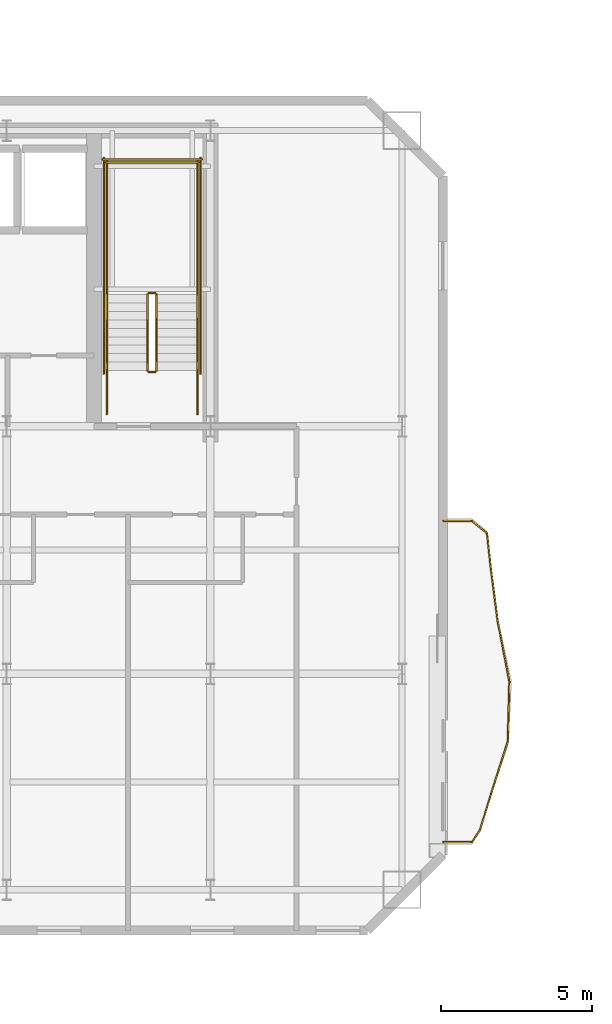
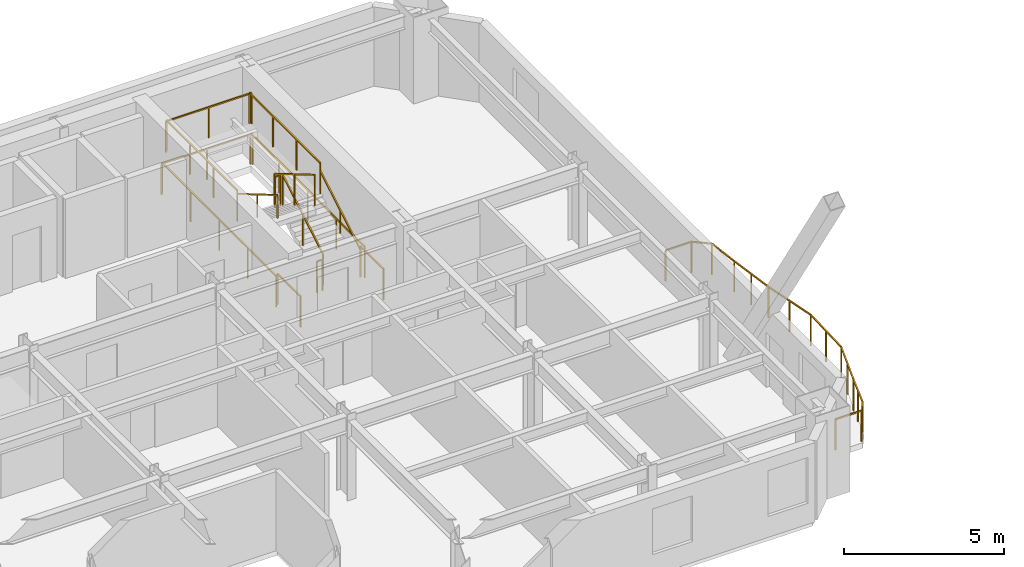
# One storey, part 11 of 13: 24 railings.
"""IFC4 building model written with IfcOpenShell, lengths in metres."""

import ifcopenshell
import ifcopenshell.guid

model = None  # the IFC model being written
_history = None  # IfcOwnerHistory: only IFC2X3 demands one
_inside = {}  # id of a spatial element -> (the spatial element, [elements in it])
_under = {}  # id of a project, library or spatial element -> (it, [spatial elements below it])
_declared = {}  # id of a project -> (the project, [libraries it declares])
_typed = {}  # id of a type object -> (the type object, [elements of that type])
_made_of = {}  # id of a material, layer set ... -> (it, [elements and type objects made of it])


def new_model(schema):
    """Start an empty IFC model of exactly this schema.

    Asked for "IFC4X3", IfcOpenShell would pick the latest addendum, in which some entities
    have other attributes; the version numbers below select the first issue.
    IFC2X3 requires an IfcOwnerHistory on every rooted entity: one is made here for all.
    """
    global model, _history
    if schema == "IFC4X3":
        model = ifcopenshell.file(schema_version=(4, 3, 0, 0))
    else:
        model = ifcopenshell.file(schema=schema)
    _inside.clear()
    _under.clear()
    _declared.clear()
    _typed.clear()
    _made_of.clear()
    _history = None
    if model.schema == "IFC2X3":
        org = make("IfcOrganization", Name="unknown")
        user = make(
            "IfcPersonAndOrganization",
            ThePerson=make("IfcPerson", FamilyName="unknown"),
            TheOrganization=org,
        )
        app = make(
            "IfcApplication",
            ApplicationDeveloper=org,
            Version="unknown",
            ApplicationFullName="unknown",
            ApplicationIdentifier="unknown",
        )
        _history = make(
            "IfcOwnerHistory",
            OwningUser=user,
            OwningApplication=app,
            ChangeAction="ADDED",
            CreationDate=0,
        )
    return model


def make(cls, **values):
    """One entity of the class cls with the attributes given. An attribute that is None is left unset."""
    return model.create_entity(
        cls, **{name: value for name, value in values.items() if value is not None}
    )


def rooted(cls, **values):
    """An entity with a GlobalId (a new one), such as an element, a storey or a relation."""
    return make(cls, GlobalId=ifcopenshell.guid.new(), OwnerHistory=_history, **values)


def si_unit(unit_type, name, prefix=None):
    """IfcSIUnit, for example si_unit("LENGTHUNIT", "METRE", prefix="MILLI")."""
    return make("IfcSIUnit", UnitType=unit_type, Prefix=prefix, Name=name)


def assignment(units):
    """IfcUnitAssignment: the units of a project."""
    return None if units is None else make("IfcUnitAssignment", Units=units)


def point(xyz):
    """IfcCartesianPoint."""
    return None if xyz is None else make("IfcCartesianPoint", Coordinates=xyz)


def direction(xyz):
    """IfcDirection."""
    return None if xyz is None else make("IfcDirection", DirectionRatios=xyz)


def frame(location, z_axis=None, x_axis=None):
    """IfcAxis2Placement3D, a coordinate frame: its origin and axes. An axis left out is left unset."""
    return make(
        "IfcAxis2Placement3D",
        Location=point(location),
        Axis=direction(z_axis),
        RefDirection=direction(x_axis),
    )


def frame_2d(location, x_axis=None):
    """IfcAxis2Placement2D, a coordinate frame in the plane: its origin and x axis."""
    return make(
        "IfcAxis2Placement2D", Location=point(location), RefDirection=direction(x_axis)
    )


def origin():
    """The frame at (0, 0, 0) with its axes left unset."""
    return frame((0.0, 0.0, 0.0))


def origin_2d():
    """The frame at (0, 0) in the plane with its x axis left unset."""
    return frame_2d((0.0, 0.0))


def place(relative_to, where):
    """IfcLocalPlacement: puts the frame where relative to a parent placement (None: the world)."""
    return make(
        "IfcLocalPlacement", PlacementRelTo=relative_to, RelativePlacement=where
    )


def context(
    kind, dimensions, precision=None, world=None, true_north=None, identifier=None
):
    """IfcGeometricRepresentationContext, for example the 3D "Model" context."""
    return make(
        "IfcGeometricRepresentationContext",
        ContextIdentifier=identifier,
        ContextType=kind,
        CoordinateSpaceDimension=dimensions,
        Precision=precision,
        WorldCoordinateSystem=world,
        TrueNorth=true_north,
    )


def subcontext(parent, identifier, kind, view, scale=None):
    """IfcGeometricRepresentationSubContext, for example "Body" below "Model"."""
    return make(
        "IfcGeometricRepresentationSubContext",
        ContextIdentifier=identifier,
        ContextType=kind,
        ParentContext=parent,
        TargetScale=scale,
        TargetView=view,
    )


def project(units=None, contexts=None):
    """IfcProject with its units and contexts."""
    return rooted(
        "IfcProject",
        Name="project",
        RepresentationContexts=contexts,
        UnitsInContext=assignment(units),
    )


def spatial(cls, under=None, at=None, **own):
    """A site, building, storey or space (cls), placed at a placement, below another one or the project."""
    s = rooted(cls, ObjectPlacement=at, **own)
    if under is not None:
        _under.setdefault(under.id(), (under, []))[1].append(s)
    return s


def profile(cls, at=None, kind="AREA", **sizes):
    """A parametric profile (cls). Its sizes go by their IFC names, for example OverallWidth=200.0."""
    return make(cls, ProfileType=kind, Position=at, **sizes)


def rectangle(**sizes):
    """IfcRectangleProfileDef."""
    return profile("IfcRectangleProfileDef", **sizes)


def extrude(swept, where, along, depth):
    """IfcExtrudedAreaSolid: the profile swept, set in the frame where, extruded along a direction by depth."""
    return make(
        "IfcExtrudedAreaSolid",
        SweptArea=swept,
        Position=where,
        ExtrudedDirection=direction(along),
        Depth=depth,
    )


def shape(context_of_items, identifier, shape_type, items):
    """IfcShapeRepresentation: the items that make up one representation, for example the "Body"."""
    return make(
        "IfcShapeRepresentation",
        ContextOfItems=context_of_items,
        RepresentationIdentifier=identifier,
        RepresentationType=shape_type,
        Items=items,
    )


def material(Name=None, Category=None):
    """IfcMaterial."""
    return make("IfcMaterial", Name=Name, Category=Category)


def made_of(thing, what):
    """Note that an element or type object is made of a material, layer set ...; save() writes the relation."""
    if what is not None:
        _made_of.setdefault(what.id(), (what, []))[1].append(thing)
    return thing


def type_object(cls, material=None, **own):
    """A type object (cls), such as IfcWallType, which elements share."""
    return made_of(rooted(cls, **own), material)


def element(
    cls,
    number,
    at=None,
    inside=None,
    cuts=None,
    type_object=None,
    material=None,
    context=None,
    identifier="Body",
    shape_type=None,
    held_by="IfcProductDefinitionShape",
    body=None,
    shapes=None,
    **own,
):
    """One element of the class cls, such as IfcWall. Its Tag is "e" and its number.

    at: its placement. inside: the storey or other place that contains it. cuts: it is an
    opening in that element (IfcRelVoidsElement). A single representation is given by context,
    identifier, shape_type and body (its items); several are given by shapes. held_by: the class
    of the entity that holds the representations. save() writes the other relations.
    """
    e = rooted(cls, Tag="e%d" % number, ObjectPlacement=at, **own)
    if body is not None:
        shapes = [shape(context, identifier, shape_type, body)]
    if shapes is not None:
        e.Representation = make(held_by, Representations=shapes)
    if inside is not None:
        _inside.setdefault(inside.id(), (inside, []))[1].append(e)
    if cuts is not None:
        rooted(
            "IfcRelVoidsElement", RelatingBuildingElement=cuts, RelatedOpeningElement=e
        )
    if type_object is not None:
        _typed.setdefault(type_object.id(), (type_object, []))[1].append(e)
    return made_of(e, material)


def aggregate(whole, parts):
    """IfcRelAggregates: a whole, such as a stair, and the parts it consists of."""
    return rooted("IfcRelAggregates", RelatingObject=whole, RelatedObjects=parts)


def save(model, path):
    """Write the relations noted so far, then the file.

    IfcRelAggregates (storeys below a building ...), IfcRelContainedInSpatialStructure (elements
    in a storey), IfcRelDefinesByType, IfcRelAssociatesMaterial and IfcRelDeclares: one each for
    every whole, place, type object, material and project.
    """
    for whole, parts in _under.values():
        aggregate(whole, parts)
    for where, things in _inside.values():
        rooted(
            "IfcRelContainedInSpatialStructure",
            RelatedElements=things,
            RelatingStructure=where,
        )
    for kind, things in _typed.values():
        rooted("IfcRelDefinesByType", RelatedObjects=things, RelatingType=kind)
    for what, things in _made_of.values():
        rooted("IfcRelAssociatesMaterial", RelatedObjects=things, RelatingMaterial=what)
    for by, libraries in _declared.values():
        rooted("IfcRelDeclares", RelatingContext=by, RelatedDefinitions=libraries)
    model.write(path)


model = new_model("IFC4")

# Units and contexts
model_context = context("Model", 3, precision=1e-05, world=origin(), true_north=direction((0.0, 1.0)))
body_context = subcontext(model_context, "Body", "Model", "MODEL_VIEW")
ifc_project = project(units=[si_unit("LENGTHUNIT", "METRE"), si_unit("AREAUNIT", "SQUARE_METRE"), si_unit("VOLUMEUNIT", "CUBIC_METRE"), si_unit("PLANEANGLEUNIT", "RADIAN"), si_unit("MASSUNIT", "GRAM", prefix="KILO")], contexts=[model_context])

# Site, building, storey
site_placement = place(None, origin())
site = spatial("IfcSite", under=ifc_project, at=site_placement, CompositionType="ELEMENT")
building_placement = place(site_placement, origin())
building = spatial("IfcBuilding", under=site, at=building_placement, Name="Haevon Station Towers", CompositionType="ELEMENT")
storey_placement = place(building_placement, frame((0.0, 0.0, 146.10009765625)))
storey = spatial("IfcBuildingStorey", under=building, at=storey_placement, Name="L39", CompositionType="ELEMENT", Elevation=146.10009765625)

# Railings
ifc_material = material(Name="Steel S355", Category="steel")
railing_type_1 = type_object("IfcRailingType", Name="GRD-EXT1200", PredefinedType="GUARDRAIL", material=ifc_material)
railing_1_placement = place(storey_placement, frame((58.723388671875, 24.427734375, 0.0)))
element("IfcRailing", 1, at=railing_1_placement, inside=storey, type_object=railing_type_1, Name="L39 Perimeter Guardrail 1", PredefinedType="GUARDRAIL", context=body_context, shape_type="SweptSolid", body=[
    extrude(rectangle(XDim=0.048095703125, YDim=0.048095703125, at=origin_2d()), frame((0.0, 0.0, 1.17578125), z_axis=(0.999997290248, 0.002327981276, 0.0), x_axis=(-0.002327981276, 0.999997290248, 0.0)), (0.0, 0.0, 1.0), 0.94384765625),
    extrude(rectangle(XDim=0.0419921875, YDim=0.0419921875, at=origin_2d()), origin(), (0.0, 0.0, 1.0), 1.15185546875),
    extrude(rectangle(XDim=0.0419921875, YDim=0.0419921875, at=origin_2d()), frame((0.94384765625, 0.002197265625, 0.0)), (0.0, 0.0, 1.0), 1.15185546875),
])
railing_2_placement = place(storey_placement, frame((59.667236328125, 24.429931640625, 0.0)))
element("IfcRailing", 2, at=railing_2_placement, inside=storey, type_object=railing_type_1, Name="L39 Perimeter Guardrail 2", PredefinedType="GUARDRAIL", context=body_context, shape_type="SweptSolid", body=[
    extrude(rectangle(XDim=0.048095703125, YDim=0.048095703125, at=origin_2d()), frame((0.0, 0.0, 1.17578125), z_axis=(0.551035492448, 0.834481806909, 0.0), x_axis=(-0.834481806909, 0.551035492448, 0.0)), (0.0, 0.0, 1.0), 0.49267578125),
    extrude(rectangle(XDim=0.0419921875, YDim=0.0419921875, at=origin_2d()), origin(), (0.0, 0.0, 1.0), 1.15185546875),
    extrude(rectangle(XDim=0.0419921875, YDim=0.0419921875, at=origin_2d()), frame((0.271484375, 0.4111328125, 0.0)), (0.0, 0.0, 1.0), 1.15185546875),
])
railing_3_placement = place(storey_placement, frame((59.938720703125, 24.841064453125, 0.0)))
element("IfcRailing", 3, at=railing_3_placement, inside=storey, type_object=railing_type_1, Name="L39 Perimeter Guardrail 3", PredefinedType="GUARDRAIL", context=body_context, shape_type="SweptSolid", body=[
    extrude(rectangle(XDim=0.048095703125, YDim=0.048095703125, at=origin_2d()), frame((0.0, 0.0, 1.17578125), z_axis=(0.289508622914, 0.95717540569, 0.0), x_axis=(-0.95717540569, 0.289508622914, 0.0)), (0.0, 0.0, 1.0), 1.22265625),
    extrude(rectangle(XDim=0.0419921875, YDim=0.0419921875, at=origin_2d()), origin(), (0.0, 0.0, 1.0), 1.15185546875),
    extrude(rectangle(XDim=0.0419921875, YDim=0.0419921875, at=origin_2d()), frame((0.177001953125, 0.585205078125, 0.0)), (0.0, 0.0, 1.0), 1.15185546875),
    extrude(rectangle(XDim=0.0419921875, YDim=0.0419921875, at=origin_2d()), frame((0.35400390625, 1.17041015625, 0.0)), (0.0, 0.0, 1.0), 1.15185546875),
])
railing_4_placement = place(storey_placement, frame((60.292724609375, 26.011474609375, 0.0)))
element("IfcRailing", 4, at=railing_4_placement, inside=storey, type_object=railing_type_1, Name="L39 Perimeter Guardrail 4", PredefinedType="GUARDRAIL", context=body_context, shape_type="SweptSolid", body=[
    extrude(rectangle(XDim=0.048095703125, YDim=0.048095703125, at=origin_2d()), frame((0.0, 0.0, 1.17578125), z_axis=(0.30505605899, 0.952334395511, 0.0), x_axis=(-0.952334395511, 0.30505605899, 0.0)), (0.0, 0.0, 1.0), 1.832763671875),
    extrude(rectangle(XDim=0.0419921875, YDim=0.0419921875, at=origin_2d()), origin(), (0.0, 0.0, 1.0), 1.15185546875),
    extrude(rectangle(XDim=0.0419921875, YDim=0.0419921875, at=origin_2d()), frame((0.279541015625, 0.87255859375, 0.0)), (0.0, 0.0, 1.0), 1.15185546875),
    extrude(rectangle(XDim=0.0419921875, YDim=0.0419921875, at=origin_2d()), frame((0.55908203125, 1.745361328125, 0.0)), (0.0, 0.0, 1.0), 1.15185546875),
])
railing_5_placement = place(storey_placement, frame((60.851806640625, 27.7568359375, 0.0)))
element("IfcRailing", 5, at=railing_5_placement, inside=storey, type_object=railing_type_1, Name="L39 Perimeter Guardrail 5", PredefinedType="GUARDRAIL", context=body_context, shape_type="SweptSolid", body=[
    extrude(rectangle(XDim=0.048095703125, YDim=0.048095703125, at=origin_2d()), frame((0.0, 0.0, 1.17578125), z_axis=(0.026448363433, 0.999650180849, 0.0), x_axis=(-0.999650180849, 0.026448363433, 0.0)), (0.0, 0.0, 1.0), 1.993896484375),
    extrude(rectangle(XDim=0.0419921875, YDim=0.0419921875, at=origin_2d()), origin(), (0.0, 0.0, 1.0), 1.15185546875),
    extrude(rectangle(XDim=0.0419921875, YDim=0.0419921875, at=origin_2d()), frame((0.0263671875, 0.99658203125, 0.0)), (0.0, 0.0, 1.0), 1.15185546875),
    extrude(rectangle(XDim=0.0419921875, YDim=0.0419921875, at=origin_2d()), frame((0.052734375, 1.9931640625, 0.0)), (0.0, 0.0, 1.0), 1.15185546875),
])
railing_6_placement = place(storey_placement, frame((60.904541015625, 29.75, 0.0)))
element("IfcRailing", 6, at=railing_6_placement, inside=storey, type_object=railing_type_1, Name="L39 Perimeter Guardrail 6", PredefinedType="GUARDRAIL", context=body_context, shape_type="SweptSolid", body=[
    extrude(rectangle(XDim=0.048095703125, YDim=0.048095703125, at=origin_2d()), frame((0.0, 0.0, 1.17578125), z_axis=(-0.189785858482, 0.981825507878, 0.0), x_axis=(-0.981825507878, -0.189785858482, 0.0)), (0.0, 0.0, 1.0), 2.026123046875),
    extrude(rectangle(XDim=0.0419921875, YDim=0.0419921875, at=origin_2d()), origin(), (0.0, 0.0, 1.0), 1.15185546875),
    extrude(rectangle(XDim=0.0419921875, YDim=0.0419921875, at=origin_2d()), frame((-0.1923828125, 0.99462890625, 0.0)), (0.0, 0.0, 1.0), 1.15185546875),
    extrude(rectangle(XDim=0.0419921875, YDim=0.0419921875, at=origin_2d()), frame((-0.384521484375, 1.9892578125, 0.0)), (0.0, 0.0, 1.0), 1.15185546875),
])
railing_7_placement = place(storey_placement, frame((60.52001953125, 31.7392578125, 0.0)))
element("IfcRailing", 7, at=railing_7_placement, inside=storey, type_object=railing_type_1, Name="L39 Perimeter Guardrail 7", PredefinedType="GUARDRAIL", context=body_context, shape_type="SweptSolid", body=[
    extrude(rectangle(XDim=0.048095703125, YDim=0.048095703125, at=origin_2d()), frame((0.0, 0.0, 1.17578125), z_axis=(-0.128853983345, 0.991663577518, 0.0), x_axis=(-0.991663577518, -0.128853983345, 0.0)), (0.0, 0.0, 1.0), 1.763916015625),
    extrude(rectangle(XDim=0.0419921875, YDim=0.0419921875, at=origin_2d()), origin(), (0.0, 0.0, 1.0), 1.15185546875),
    extrude(rectangle(XDim=0.0419921875, YDim=0.0419921875, at=origin_2d()), frame((-0.11376953125, 0.87451171875, 0.0)), (0.0, 0.0, 1.0), 1.15185546875),
    extrude(rectangle(XDim=0.0419921875, YDim=0.0419921875, at=origin_2d()), frame((-0.227294921875, 1.749267578125, 0.0)), (0.0, 0.0, 1.0), 1.15185546875),
])
railing_8_placement = place(storey_placement, frame((60.292724609375, 33.488525390625, 0.0)))
element("IfcRailing", 8, at=railing_8_placement, inside=storey, type_object=railing_type_1, Name="L39 Perimeter Guardrail 8", PredefinedType="GUARDRAIL", context=body_context, shape_type="SweptSolid", body=[
    extrude(rectangle(XDim=0.048095703125, YDim=0.048095703125, at=origin_2d()), frame((0.0, 0.0, 1.17578125), z_axis=(-0.108246304378, 0.994124105727, 0.0), x_axis=(-0.994124105727, -0.108246304378, 0.0)), (0.0, 0.0, 1.0), 1.17724609375),
    extrude(rectangle(XDim=0.0419921875, YDim=0.0419921875, at=origin_2d()), origin(), (0.0, 0.0, 1.0), 1.15185546875),
    extrude(rectangle(XDim=0.0419921875, YDim=0.0419921875, at=origin_2d()), frame((-0.12744140625, 1.17041015625, 0.0)), (0.0, 0.0, 1.0), 1.15185546875),
])
railing_9_placement = place(storey_placement, frame((60.165283203125, 34.658935546875, 0.0)))
element("IfcRailing", 9, at=railing_9_placement, inside=storey, type_object=railing_type_1, Name="L39 Perimeter Guardrail 9", PredefinedType="GUARDRAIL", context=body_context, shape_type="SweptSolid", body=[
    extrude(rectangle(XDim=0.048095703125, YDim=0.048095703125, at=origin_2d()), frame((0.0, 0.0, 1.17578125), z_axis=(-0.771187673491, 0.636607863803, 0.0), x_axis=(-0.636607863803, -0.771187673491, 0.0)), (0.0, 0.0, 1.0), 0.645751953125),
    extrude(rectangle(XDim=0.0419921875, YDim=0.0419921875, at=origin_2d()), origin(), (0.0, 0.0, 1.0), 1.15185546875),
    extrude(rectangle(XDim=0.0419921875, YDim=0.0419921875, at=origin_2d()), frame((-0.498046875, 0.4111328125, 0.0)), (0.0, 0.0, 1.0), 1.15185546875),
])
railing_10_placement = place(storey_placement, frame((59.667236328125, 35.070068359375, 0.0)))
element("IfcRailing", 10, at=railing_10_placement, inside=storey, type_object=railing_type_1, Name="L39 Perimeter Guardrail 10", PredefinedType="GUARDRAIL", context=body_context, shape_type="SweptSolid", body=[
    extrude(rectangle(XDim=0.048095703125, YDim=0.048095703125, at=origin_2d()), frame((0.0, 0.0, 1.17578125), z_axis=(-0.999997290248, 0.002327981276, 0.0), x_axis=(-0.002327981276, -0.999997290248, 0.0)), (0.0, 0.0, 1.0), 0.94384765625),
    extrude(rectangle(XDim=0.0419921875, YDim=0.0419921875, at=origin_2d()), origin(), (0.0, 0.0, 1.0), 1.15185546875),
    extrude(rectangle(XDim=0.0419921875, YDim=0.0419921875, at=origin_2d()), frame((-0.94384765625, 0.002197265625, 0.0)), (0.0, 0.0, 1.0), 1.15185546875),
])
railing_type_2 = type_object("IfcRailingType", Name="GRD-STR1200", PredefinedType="GUARDRAIL", material=ifc_material)
railing_11_placement = place(storey_placement, frame((49.219970703125, 40.050048828125, 0.164794921875)))
element("IfcRailing", 11, at=railing_11_placement, inside=storey, type_object=railing_type_2, Name="L39 ST2 Stair Guard 1", PredefinedType="GUARDRAIL", context=body_context, shape_type="SweptSolid", body=[
    extrude(rectangle(XDim=0.048095703125, YDim=0.048095703125, at=origin_2d()), frame((0.0, 0.0, 1.17578125), z_axis=(0.0, 0.86152411907, 0.507716645641), x_axis=(-1.0, 0.0, 0.0)), (0.0, 0.0, 1.0), 2.925048828125),
    extrude(rectangle(XDim=0.0419921875, YDim=0.0419921875, at=origin_2d()), origin(), (0.0, 0.0, 1.0), 1.15185546875),
    extrude(rectangle(XDim=0.0419921875, YDim=0.0419921875, at=origin_2d()), frame((0.0, 1.260009765625, 0.74267578125)), (0.0, 0.0, 1.0), 1.15185546875),
    extrude(rectangle(XDim=0.0419921875, YDim=0.0419921875, at=origin_2d()), frame((0.0, 2.52001953125, 1.485107421875)), (0.0, 0.0, 1.0), 1.15185546875),
])
railing_12_placement = place(storey_placement, frame((49.169921875, 42.6201171875, 1.64990234375)))
element("IfcRailing", 12, at=railing_12_placement, inside=storey, type_object=railing_type_2, Name="L39 ST2 Stair Guard 2", PredefinedType="GUARDRAIL", context=body_context, shape_type="SweptSolid", body=[
    extrude(rectangle(XDim=0.048095703125, YDim=0.048095703125, at=origin_2d()), frame((0.0, 0.0, 1.17578125), z_axis=(-1.0, 0.0, 0.0), x_axis=(0.0, -1.0, 0.0)), (0.0, 0.0, 1.0), 0.199951171875),
    extrude(rectangle(XDim=0.0419921875, YDim=0.0419921875, at=origin_2d()), origin(), (0.0, 0.0, 1.0), 1.15185546875),
    extrude(rectangle(XDim=0.0419921875, YDim=0.0419921875, at=origin_2d()), frame((-0.199951171875, 0.0, 0.0)), (0.0, 0.0, 1.0), 1.15185546875),
])
for number, where, name in (
    (13, (50.570068359375, 42.570068359375, 1.64990234375), "L39 ST2 Stair Guard 3"),
    (14, (47.570068359375, 42.570068359375, 1.64990234375), "L39 ST2 Stair Guard 4"),
):
    element("IfcRailing", number, at=place(storey_placement, frame(where)), inside=storey, type_object=railing_type_2, Name=name, PredefinedType="GUARDRAIL", context=body_context, shape_type="SweptSolid", body=[
        extrude(rectangle(XDim=0.048095703125, YDim=0.048095703125, at=origin_2d()), frame((0.0, 0.0, 1.17578125), z_axis=(0.0, 1.0, 0.0), x_axis=(-1.0, 0.0, 0.0)), (0.0, 0.0, 1.0), 4.429931640625),
        extrude(rectangle(XDim=0.0419921875, YDim=0.0419921875, at=origin_2d()), origin(), (0.0, 0.0, 1.0), 1.15185546875),
        extrude(rectangle(XDim=0.0419921875, YDim=0.0419921875, at=origin_2d()), frame((0.0, 1.4765625, 0.0)), (0.0, 0.0, 1.0), 1.15185546875),
        extrude(rectangle(XDim=0.0419921875, YDim=0.0419921875, at=origin_2d()), frame((0.0, 2.953369140625, 0.0)), (0.0, 0.0, 1.0), 1.15185546875),
        extrude(rectangle(XDim=0.0419921875, YDim=0.0419921875, at=origin_2d()), frame((0.0, 4.429931640625, 0.0)), (0.0, 0.0, 1.0), 1.15185546875),
    ])
railing_13_placement = place(storey_placement, frame((50.6201171875, 46.949951171875, 1.64990234375)))
element("IfcRailing", 15, at=railing_13_placement, inside=storey, type_object=railing_type_2, Name="L39 ST2 Stair Guard 5", PredefinedType="GUARDRAIL", context=body_context, shape_type="SweptSolid", body=[
    extrude(rectangle(XDim=0.048095703125, YDim=0.048095703125, at=origin_2d()), frame((0.0, 0.0, 1.17578125), z_axis=(-1.0, 0.0, 0.0), x_axis=(0.0, -1.0, 0.0)), (0.0, 0.0, 1.0), 3.10009765625),
    extrude(rectangle(XDim=0.0419921875, YDim=0.0419921875, at=origin_2d()), origin(), (0.0, 0.0, 1.0), 1.15185546875),
    extrude(rectangle(XDim=0.0419921875, YDim=0.0419921875, at=origin_2d()), frame((-1.550048828125, 0.0, 0.0)), (0.0, 0.0, 1.0), 1.15185546875),
    extrude(rectangle(XDim=0.0419921875, YDim=0.0419921875, at=origin_2d()), frame((-3.10009765625, 0.0, 0.0)), (0.0, 0.0, 1.0), 1.15185546875),
])
railing_14_placement = place(storey_placement, frame((48.919921875, 42.570068359375, 1.81494140625)))
element("IfcRailing", 16, at=railing_14_placement, inside=storey, type_object=railing_type_2, Name="L39 ST2 Stair Guard 6", PredefinedType="GUARDRAIL", context=body_context, shape_type="SweptSolid", body=[
    extrude(rectangle(XDim=0.048095703125, YDim=0.048095703125, at=origin_2d()), frame((0.0, 0.0, 1.17578125), z_axis=(0.0, -0.861560626758, 0.507654692109), x_axis=(1.0, 0.0, 0.0)), (0.0, 0.0, 1.0), 2.925048828125),
    extrude(rectangle(XDim=0.0419921875, YDim=0.0419921875, at=origin_2d()), origin(), (0.0, 0.0, 1.0), 1.15185546875),
    extrude(rectangle(XDim=0.0419921875, YDim=0.0419921875, at=origin_2d()), frame((0.0, -1.260009765625, 0.742431640625)), (0.0, 0.0, 1.0), 1.15185546875),
    extrude(rectangle(XDim=0.0419921875, YDim=0.0419921875, at=origin_2d()), frame((0.0, -2.52001953125, 1.48486328125)), (0.0, 0.0, 1.0), 1.15185546875),
])
railing_15_placement = place(storey_placement, frame((49.169921875, 40.0, 0.0)))
element("IfcRailing", 17, at=railing_15_placement, inside=storey, type_object=railing_type_2, Name="L39 ST2 Stair Guard 7", PredefinedType="GUARDRAIL", context=body_context, shape_type="SweptSolid", body=[
    extrude(rectangle(XDim=0.048095703125, YDim=0.048095703125, at=origin_2d()), frame((0.0, 0.0, 1.17578125), z_axis=(-1.0, 0.0, 0.0), x_axis=(0.0, -1.0, 0.0)), (0.0, 0.0, 1.0), 0.199951171875),
    extrude(rectangle(XDim=0.0419921875, YDim=0.0419921875, at=origin_2d()), origin(), (0.0, 0.0, 1.0), 1.15185546875),
    extrude(rectangle(XDim=0.0419921875, YDim=0.0419921875, at=origin_2d()), frame((-0.199951171875, 0.0, 0.0)), (0.0, 0.0, 1.0), 1.15185546875),
])
for number, where, name in (
    (18, (50.570068359375, 38.60009765625, 0.0), "L39 ST2 Stair Guard 8"),
    (19, (47.570068359375, 38.60009765625, 0.0), "L39 ST2 Stair Guard 9"),
):
    element("IfcRailing", number, at=place(storey_placement, frame(where)), inside=storey, type_object=railing_type_2, Name=name, PredefinedType="GUARDRAIL", context=body_context, shape_type="SweptSolid", body=[
        extrude(rectangle(XDim=0.048095703125, YDim=0.048095703125, at=origin_2d()), frame((0.0, 0.0, 1.17578125), z_axis=(0.0, 1.0, 0.0), x_axis=(-1.0, 0.0, 0.0)), (0.0, 0.0, 1.0), 1.449951171875),
        extrude(rectangle(XDim=0.0419921875, YDim=0.0419921875, at=origin_2d()), origin(), (0.0, 0.0, 1.0), 1.15185546875),
        extrude(rectangle(XDim=0.0419921875, YDim=0.0419921875, at=origin_2d()), frame((0.0, 1.449951171875, 0.0)), (0.0, 0.0, 1.0), 1.15185546875),
    ])
for number, where, name in (
    (20, (50.669921875, 39.949951171875, 0.0), "L39 ST2 Stair Guard 10"),
    (21, (47.469970703125, 39.949951171875, 0.0), "L39 ST2 Stair Guard 11"),
):
    element("IfcRailing", number, at=place(storey_placement, frame(where)), inside=storey, type_object=railing_type_2, Name=name, PredefinedType="GUARDRAIL", context=body_context, shape_type="SweptSolid", body=[
        extrude(rectangle(XDim=0.048095703125, YDim=0.048095703125, at=origin_2d()), frame((0.0, 0.0, 1.17578125), z_axis=(0.0, 1.0, 0.0), x_axis=(-1.0, 0.0, 0.0)), (0.0, 0.0, 1.0), 7.150146484375),
        extrude(rectangle(XDim=0.0419921875, YDim=0.0419921875, at=origin_2d()), origin(), (0.0, 0.0, 1.0), 1.15185546875),
        extrude(rectangle(XDim=0.0419921875, YDim=0.0419921875, at=origin_2d()), frame((0.0, 1.78759765625, 0.0)), (0.0, 0.0, 1.0), 1.15185546875),
        extrude(rectangle(XDim=0.0419921875, YDim=0.0419921875, at=origin_2d()), frame((0.0, 3.5751953125, 0.0)), (0.0, 0.0, 1.0), 1.15185546875),
        extrude(rectangle(XDim=0.0419921875, YDim=0.0419921875, at=origin_2d()), frame((0.0, 5.362548828125, 0.0)), (0.0, 0.0, 1.0), 1.15185546875),
        extrude(rectangle(XDim=0.0419921875, YDim=0.0419921875, at=origin_2d()), frame((0.0, 7.150146484375, 0.0)), (0.0, 0.0, 1.0), 1.15185546875),
    ])
railing_16_placement = place(storey_placement, frame((50.719970703125, 47.050048828125, 0.0)))
element("IfcRailing", 22, at=railing_16_placement, inside=storey, type_object=railing_type_2, Name="L39 ST2 Stair Guard 12", PredefinedType="GUARDRAIL", context=body_context, shape_type="SweptSolid", body=[
    extrude(rectangle(XDim=0.048095703125, YDim=0.048095703125, at=origin_2d()), frame((0.0, 0.0, 1.17578125), z_axis=(-1.0, 0.0, 0.0), x_axis=(0.0, -1.0, 0.0)), (0.0, 0.0, 1.0), 3.300048828125),
    extrude(rectangle(XDim=0.0419921875, YDim=0.0419921875, at=origin_2d()), origin(), (0.0, 0.0, 1.0), 1.15185546875),
    extrude(rectangle(XDim=0.0419921875, YDim=0.0419921875, at=origin_2d()), frame((-1.64990234375, 0.0, 0.0)), (0.0, 0.0, 1.0), 1.15185546875),
    extrude(rectangle(XDim=0.0419921875, YDim=0.0419921875, at=origin_2d()), frame((-3.300048828125, 0.0, 0.0)), (0.0, 0.0, 1.0), 1.15185546875),
])
railing_type_3 = type_object("IfcRailingType", Name="HND-STR900", PredefinedType="HANDRAIL", material=ifc_material)
railing_17_placement = place(storey_placement, frame((50.570068359375, 40.050048828125, 0.164794921875)))
element("IfcRailing", 23, at=railing_17_placement, inside=storey, type_object=railing_type_3, Name="L39 ST2 Stair Handrail 1", PredefinedType="HANDRAIL", context=body_context, shape_type="SweptSolid", body=[
    extrude(rectangle(XDim=0.048095703125, YDim=0.048095703125, at=origin_2d()), frame((0.0, 0.0, 0.8759765625), z_axis=(0.0, 0.86152411907, 0.507716645641), x_axis=(-1.0, 0.0, 0.0)), (0.0, 0.0, 1.0), 2.925048828125),
    extrude(rectangle(XDim=0.0419921875, YDim=0.0419921875, at=origin_2d()), origin(), (0.0, 0.0, 1.0), 0.851806640625),
    extrude(rectangle(XDim=0.0419921875, YDim=0.0419921875, at=origin_2d()), frame((0.0, 1.260009765625, 0.74267578125)), (0.0, 0.0, 1.0), 0.851806640625),
    extrude(rectangle(XDim=0.0419921875, YDim=0.0419921875, at=origin_2d()), frame((0.0, 2.52001953125, 1.485107421875)), (0.0, 0.0, 1.0), 0.851806640625),
])
railing_18_placement = place(storey_placement, frame((47.570068359375, 42.570068359375, 1.81494140625)))
element("IfcRailing", 24, at=railing_18_placement, inside=storey, type_object=railing_type_3, Name="L39 ST2 Stair Handrail 2", PredefinedType="HANDRAIL", context=body_context, shape_type="SweptSolid", body=[
    extrude(rectangle(XDim=0.048095703125, YDim=0.048095703125, at=origin_2d()), frame((0.0, 0.0, 0.8759765625), z_axis=(0.0, -0.861560626758, 0.507654692109), x_axis=(1.0, 0.0, 0.0)), (0.0, 0.0, 1.0), 2.925048828125),
    extrude(rectangle(XDim=0.0419921875, YDim=0.0419921875, at=origin_2d()), origin(), (0.0, 0.0, 1.0), 0.851806640625),
    extrude(rectangle(XDim=0.0419921875, YDim=0.0419921875, at=origin_2d()), frame((0.0, -1.260009765625, 0.742431640625)), (0.0, 0.0, 1.0), 0.851806640625),
    extrude(rectangle(XDim=0.0419921875, YDim=0.0419921875, at=origin_2d()), frame((0.0, -2.52001953125, 1.48486328125)), (0.0, 0.0, 1.0), 0.851806640625),
])

save(model, "model.ifc")
